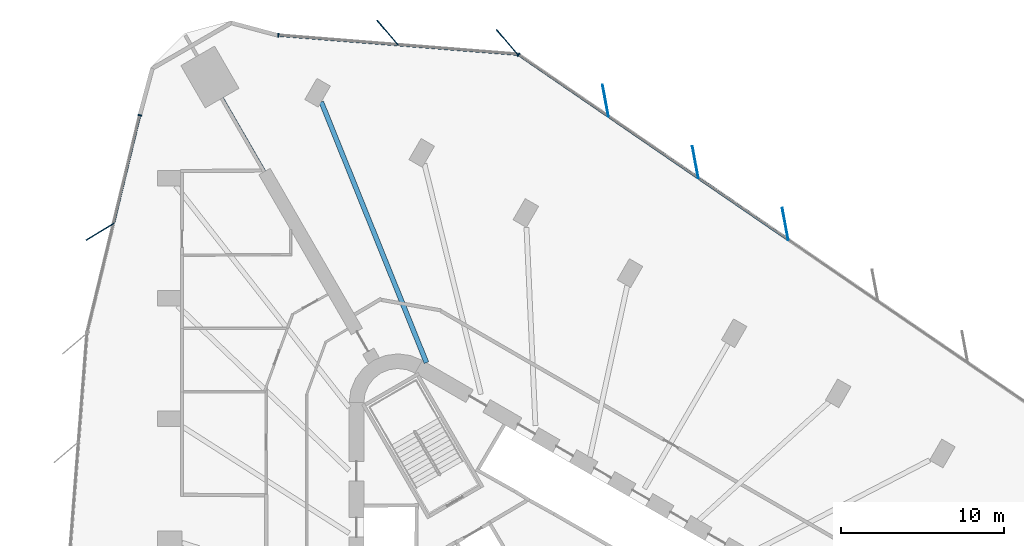
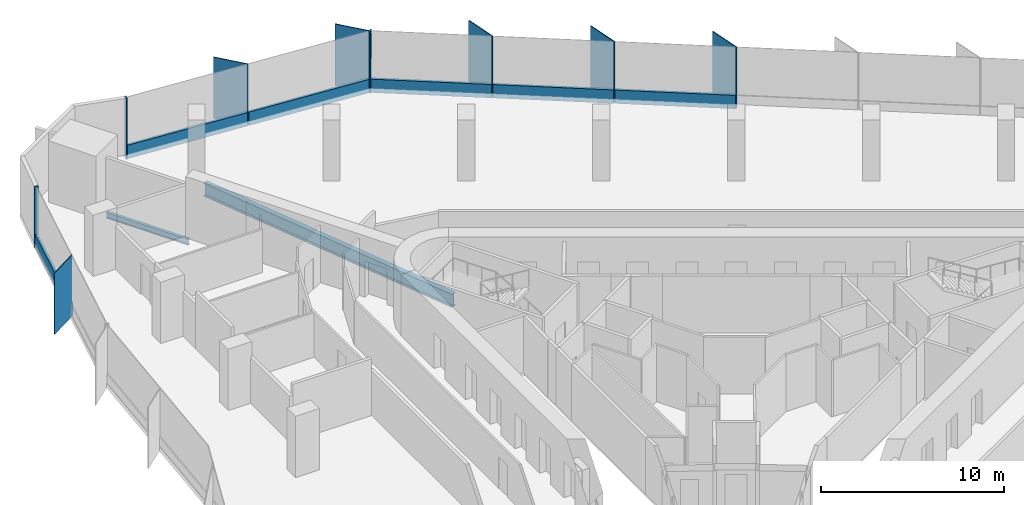
# One storey, part 7 of 14: 15 members, 2 beams, 3 elements without a shape of their own.
"""IFC4 building model written with IfcOpenShell, lengths in metres."""

from ifc_helpers import new_model, si_unit, direction, frame, origin, origin_2d, place, context, subcontext, project, spatial, rectangle, i_section, extrude, material, material_profile, profile_set, type_object, element, aggregate, save


model = new_model("IFC4")

# Units and contexts
model_context = context("Model", 3, precision=1e-05, world=origin(), true_north=direction((0.0, 1.0)))
body_context = subcontext(model_context, "Body", "Model", "MODEL_VIEW")
ifc_project = project(units=[si_unit("LENGTHUNIT", "METRE"), si_unit("AREAUNIT", "SQUARE_METRE"), si_unit("VOLUMEUNIT", "CUBIC_METRE"), si_unit("PLANEANGLEUNIT", "RADIAN"), si_unit("MASSUNIT", "GRAM", prefix="KILO")], contexts=[model_context])

# Site, building, storey
site_placement = place(None, origin())
site = spatial("IfcSite", under=ifc_project, at=site_placement, CompositionType="ELEMENT")
building_placement = place(site_placement, origin())
building = spatial("IfcBuilding", under=site, at=building_placement, Name="Tanit Gate Tower", CompositionType="ELEMENT")
storey_placement = place(building_placement, frame((0.0, 0.0, 86.5)))
storey = spatial("IfcBuildingStorey", under=building, at=storey_placement, Name="L17", CompositionType="ELEMENT", Elevation=86.5)

# Curtain wall, members
ifc_material_1 = material(Name="Aluminium bronze anodised and glass", Category="aluminium")
curtain_wall_type = type_object("IfcCurtainWallType", Name="Curtain wall typical low", PredefinedType="NOTDEFINED", material=ifc_material_1)
curtain_wall_1_placement = place(storey_placement, origin())
curtain_wall_1 = element("IfcCurtainWall", 1, at=curtain_wall_1_placement, inside=storey, type_object=curtain_wall_type, Name="Curtain wall L17 NE2", PredefinedType="NOTDEFINED")
ifc_material_2 = material(Name="Aluminium bronze anodised", Category="aluminium")
ifc_material_profile_1 = material_profile(ifc_material_2, rectangle(XDim=2.0, YDim=0.055908203125, at=origin_2d()), Name="56x2000 bronze fin mullion")
ifc_profile_set_1 = profile_set([ifc_material_profile_1], Name="Aluminium bronze anodised")
member_type_1 = type_object("IfcMemberType", Name="FIN MULLION 56x2000 bronze", PredefinedType="MULLION", material=ifc_profile_set_1)
member_1_placement = place(storey_placement, frame((14.70849609375, 26.742919921875, -0.300048828125), z_axis=(0.0, 0.0, 1.0), x_axis=(0.182983013261, -0.983116074967, 0.0)))
member_1 = element("IfcMember", 2, at=member_1_placement, type_object=member_type_1, Name="Fin mullion L17 NE2.4", PredefinedType="MULLION", context=body_context, shape_type="SweptSolid", body=[
    extrude(rectangle(XDim=2.0, YDim=0.055908203125, at=origin_2d()), origin(), (0.0, 0.0, 1.0), 4.10009765625),
])
member_2_placement = place(storey_placement, frame((9.183837890625, 30.53369140625, -0.300048828125), z_axis=(0.0, 0.0, 1.0), x_axis=(0.182983013261, -0.983116074967, 0.0)))
member_2 = element("IfcMember", 3, at=member_2_placement, type_object=member_type_1, Name="Fin mullion L17 NE2.5", PredefinedType="MULLION", context=body_context, shape_type="SweptSolid", body=[
    extrude(rectangle(XDim=2.0, YDim=0.055908203125, at=origin_2d()), origin(), (0.0, 0.0, 1.0), 4.10009765625),
])
member_3_placement = place(storey_placement, frame((3.6591796875, 34.324462890625, -0.300048828125), z_axis=(0.0, 0.0, 1.0), x_axis=(0.182983013261, -0.983116074967, 0.0)))
member_3 = element("IfcMember", 4, at=member_3_placement, type_object=member_type_1, Name="Fin mullion L17 NE2.6", PredefinedType="MULLION", context=body_context, shape_type="SweptSolid", body=[
    extrude(rectangle(XDim=2.0, YDim=0.055908203125, at=origin_2d()), origin(), (0.0, 0.0, 1.0), 4.10009765625),
])

curtain_wall_2_placement = place(storey_placement, origin())
curtain_wall_2 = element("IfcCurtainWall", 5, at=curtain_wall_2_placement, inside=storey, type_object=curtain_wall_type, Name="Curtain wall L17 NE3", PredefinedType="NOTDEFINED")
member_4_placement = place(storey_placement, frame((-2.393798828125, 37.923828125, -0.300048828125), z_axis=(0.0, 0.0, 1.0), x_axis=(0.649001123073, -0.760787448799, 0.0)))
member_4 = element("IfcMember", 6, at=member_4_placement, type_object=member_type_1, Name="Fin mullion L17 NE3.1", PredefinedType="MULLION", context=body_context, shape_type="SweptSolid", body=[
    extrude(rectangle(XDim=2.0, YDim=0.055908203125, at=origin_2d()), origin(), (0.0, 0.0, 1.0), 4.10009765625),
])
member_5_placement = place(storey_placement, frame((-9.7412109375, 38.506591796875, -0.300048828125), z_axis=(0.0, 0.0, 1.0), x_axis=(0.649001123073, -0.760787448799, 0.0)))
member_5 = element("IfcMember", 7, at=member_5_placement, type_object=member_type_1, Name="Fin mullion L17 NE3.2", PredefinedType="MULLION", context=body_context, shape_type="SweptSolid", body=[
    extrude(rectangle(XDim=2.0, YDim=0.055908203125, at=origin_2d()), origin(), (0.0, 0.0, 1.0), 4.10009765625),
])

# Curtain wall, member
curtain_wall_3_placement = place(storey_placement, origin())
curtain_wall_3 = element("IfcCurtainWall", 8, at=curtain_wall_3_placement, inside=storey, type_object=curtain_wall_type, Name="Curtain wall L17 W1", PredefinedType="NOTDEFINED")
member_6_placement = place(storey_placement, frame((-27.418212890625, 26.267333984375, -0.300048828125), z_axis=(0.0, 0.0, 1.0), x_axis=(0.853805958706, 0.520591379951, 0.0)))
member_6 = element("IfcMember", 9, at=member_6_placement, type_object=member_type_1, Name="Fin mullion L17 W1.2", PredefinedType="MULLION", context=body_context, shape_type="SweptSolid", body=[
    extrude(rectangle(XDim=2.0, YDim=0.055908203125, at=origin_2d()), origin(), (0.0, 0.0, 1.0), 4.10009765625),
])

# Member
ifc_material_3 = material(Name="Aluminium bronze anodised", Category="aluminium")
ifc_material_profile_2 = material_profile(ifc_material_3, rectangle(XDim=0.239990234375, YDim=0.080078125, at=origin_2d()), Name="80x240 bronze mullion")
ifc_profile_set_2 = profile_set([ifc_material_profile_2], Name="Aluminium bronze anodised")
member_type_2 = type_object("IfcMemberType", Name="Mullion 80x240 typical low", PredefinedType="MULLION", material=ifc_profile_set_2)
member_7_placement = place(storey_placement, frame((-1.6865234375, 37.154541015625, -0.300048828125), z_axis=(0.0, 0.0, 1.0), x_axis=(-0.565779513784, -0.824556572821, 0.0)))
member_7 = element("IfcMember", 10, at=member_7_placement, type_object=member_type_2, Name="Mullion L17 NE2.7", PredefinedType="MULLION", context=body_context, shape_type="SweptSolid", body=[
    extrude(rectangle(XDim=0.239990234375, YDim=0.080078125, at=origin_2d()), origin(), (0.0, 0.0, 1.0), 4.10009765625),
])

member_8_placement = place(storey_placement, frame((-16.45458984375, 38.345458984375, -0.300048828125), z_axis=(0.0, 0.0, 1.0), x_axis=(-0.079044868964, -0.99687105921, 0.0)))
member_8 = element("IfcMember", 11, at=member_8_placement, type_object=member_type_2, Name="Mullion L17 NE3.3", PredefinedType="MULLION", context=body_context, shape_type="SweptSolid", body=[
    extrude(rectangle(XDim=0.239990234375, YDim=0.080078125, at=origin_2d()), origin(), (0.0, 0.0, 1.0), 4.10009765625),
])

member_9_placement = place(storey_placement, frame((-24.969970703125, 33.43212890625, -0.300048828125), z_axis=(0.0, 0.0, 1.0), x_axis=(0.971845678209, -0.235618288228, 0.0)))
member_9 = element("IfcMember", 12, at=member_9_placement, type_object=member_type_2, Name="Mullion L17 W1.1", PredefinedType="MULLION", context=body_context, shape_type="SweptSolid", body=[
    extrude(rectangle(XDim=0.239990234375, YDim=0.080078125, at=origin_2d()), origin(), (0.0, 0.0, 1.0), 4.10009765625),
])

# Beams
ifc_material_4 = material(Name="Steel S355", Category="steel")
ifc_material_profile_3 = material_profile(ifc_material_4, i_section(OverallWidth=0.300048828125, OverallDepth=0.889892578125, WebThickness=0.01611328125, FlangeThickness=0.030029296875, FilletRadius=0.030029296875, at=origin_2d()), Name="HEA 900")
ifc_profile_set_3 = profile_set([ifc_material_profile_3], Name="Steel S355")
beam_type_1 = type_object("IfcBeamType", Name="RADIAL GIRDER HEA 900 S355", PredefinedType="BEAM", material=ifc_profile_set_3)
beam_1_placement = place(storey_placement, frame((-13.815673828125, 34.251953125, -0.7451171875), z_axis=(0.374069410217, -0.927400709693, 0.0), x_axis=(0.927400709693, 0.374069410217, 0.0)))
element("IfcBeam", 13, at=beam_1_placement, inside=storey, type_object=beam_type_1, Name="RADIAL GIRDER", PredefinedType="BEAM", context=body_context, shape_type="SweptSolid", body=[
    extrude(i_section(OverallWidth=0.300048828125, OverallDepth=0.889892578125, WebThickness=0.01611328125, FlangeThickness=0.030029296875, FilletRadius=0.030029296875, at=origin_2d()), origin(), (0.0, 0.0, 1.0), 17.291015625),
])
ifc_material_5 = material(Name="Steel S355", Category="steel")
ifc_material_profile_4 = material_profile(ifc_material_5, i_section(OverallWidth=0.179931640625, OverallDepth=0.39990234375, WebThickness=0.008544921875, FlangeThickness=0.013427734375, FilletRadius=0.02099609375, at=origin_2d()), Name="IPE 400")
ifc_profile_set_4 = profile_set([ifc_material_profile_4], Name="Steel S355")
beam_type_2 = type_object("IfcBeamType", Name="RADIAL GIRDER IPE 400 S355", PredefinedType="BEAM", material=ifc_profile_set_4)
beam_2_placement = place(storey_placement, frame((-19.9091796875, 34.483642578125, -0.5), z_axis=(0.500022437694, -0.866012448988, 0.0), x_axis=(0.866012448988, 0.500022437694, 0.0)))
element("IfcBeam", 14, at=beam_2_placement, inside=storey, type_object=beam_type_2, Name="RADIAL GIRDER", PredefinedType="BEAM", context=body_context, shape_type="SweptSolid", body=[
    extrude(i_section(OverallWidth=0.179931640625, OverallDepth=0.39990234375, WebThickness=0.008544921875, FlangeThickness=0.013427734375, FilletRadius=0.02099609375, at=origin_2d()), origin(), (0.0, 0.0, 1.0), 5.213134765625),
])

# Member
ifc_material_6 = material(Name="Aluminium bronze anodised", Category="aluminium")
ifc_material_profile_5 = material_profile(ifc_material_6, rectangle(XDim=0.159912109375, YDim=0.89990234375, at=origin_2d()), Name="160x900 bronze transom")
ifc_profile_set_5 = profile_set([ifc_material_profile_5], Name="Aluminium bronze anodised")
member_type_3 = type_object("IfcMemberType", Name="Transom 160x900 typical low", PredefinedType="USERDEFINED", material=ifc_profile_set_5)
member_10_placement = place(storey_placement, frame((14.8544921875, 25.8046875, 0.14990234375), z_axis=(-0.824554845388, 0.565782031305, 0.0), x_axis=(-0.565782031305, -0.824554845388, 0.0)))
member_10 = element("IfcMember", 15, at=member_10_placement, type_object=member_type_3, Name="Transom L17 NE2.4", ObjectType="TRANSOM", PredefinedType="USERDEFINED", context=body_context, shape_type="SweptSolid", body=[
    extrude(rectangle(XDim=0.159912109375, YDim=0.89990234375, at=origin_2d()), origin(), (0.0, 0.0, 1.0), 6.6201171875),
])

member_11_placement = place(storey_placement, frame((9.329833984375, 29.595458984375, 0.14990234375), z_axis=(-0.824554845388, 0.565782031305, 0.0), x_axis=(-0.565782031305, -0.824554845388, 0.0)))
member_11 = element("IfcMember", 16, at=member_11_placement, type_object=member_type_3, Name="Transom L17 NE2.5", ObjectType="TRANSOM", PredefinedType="USERDEFINED", context=body_context, shape_type="SweptSolid", body=[
    extrude(rectangle(XDim=0.159912109375, YDim=0.89990234375, at=origin_2d()), origin(), (0.0, 0.0, 1.0), 6.6201171875),
])

member_12_placement = place(storey_placement, frame((3.80517578125, 33.38623046875, 0.14990234375), z_axis=(-0.824554845388, 0.565782031305, 0.0), x_axis=(-0.565782031305, -0.824554845388, 0.0)))
member_12 = element("IfcMember", 17, at=member_12_placement, type_object=member_type_3, Name="Transom L17 NE2.6", ObjectType="TRANSOM", PredefinedType="USERDEFINED", context=body_context, shape_type="SweptSolid", body=[
    extrude(rectangle(XDim=0.159912109375, YDim=0.89990234375, at=origin_2d()), origin(), (0.0, 0.0, 1.0), 6.6201171875),
])

aggregate(curtain_wall_1, [member_1, member_2, member_3, member_7, member_10, member_11, member_12])

member_13_placement = place(storey_placement, frame((-1.79931640625, 37.183349609375, 0.14990234375), z_axis=(-0.996869667106, 0.079062423462, 0.0), x_axis=(-0.079062423462, -0.996869667106, 0.0)))
member_13 = element("IfcMember", 18, at=member_13_placement, type_object=member_type_3, Name="Transom L17 NE3.1", ObjectType="TRANSOM", PredefinedType="USERDEFINED", context=body_context, shape_type="SweptSolid", body=[
    extrude(rectangle(XDim=0.159912109375, YDim=0.89990234375, at=origin_2d()), origin(), (0.0, 0.0, 1.0), 7.29052734375),
])

member_14_placement = place(storey_placement, frame((-9.146728515625, 37.76611328125, 0.14990234375), z_axis=(-0.996872514956, 0.079026507736, 0.0), x_axis=(-0.079026507736, -0.996872514956, 0.0)))
member_14 = element("IfcMember", 19, at=member_14_placement, type_object=member_type_3, Name="Transom L17 NE3.2", ObjectType="TRANSOM", PredefinedType="USERDEFINED", context=body_context, shape_type="SweptSolid", body=[
    extrude(rectangle(XDim=0.159912109375, YDim=0.89990234375, at=origin_2d()), origin(), (0.0, 0.0, 1.0), 7.290771484375),
])

aggregate(curtain_wall_2, [member_4, member_5, member_8, member_13, member_14])

member_15_placement = place(storey_placement, frame((-24.979248046875, 33.39306640625, 0.14990234375), z_axis=(-0.235638221576, -0.971840845269, 0.0), x_axis=(0.971840845269, -0.235638221576, 0.0)))
member_15 = element("IfcMember", 20, at=member_15_placement, type_object=member_type_3, Name="Transom L17 W1.1", ObjectType="TRANSOM", PredefinedType="USERDEFINED", context=body_context, shape_type="SweptSolid", body=[
    extrude(rectangle(XDim=0.159912109375, YDim=0.89990234375, at=origin_2d()), origin(), (0.0, 0.0, 1.0), 6.768798828125),
])

aggregate(curtain_wall_3, [member_9, member_6, member_15])

save(model, "model.ifc")
